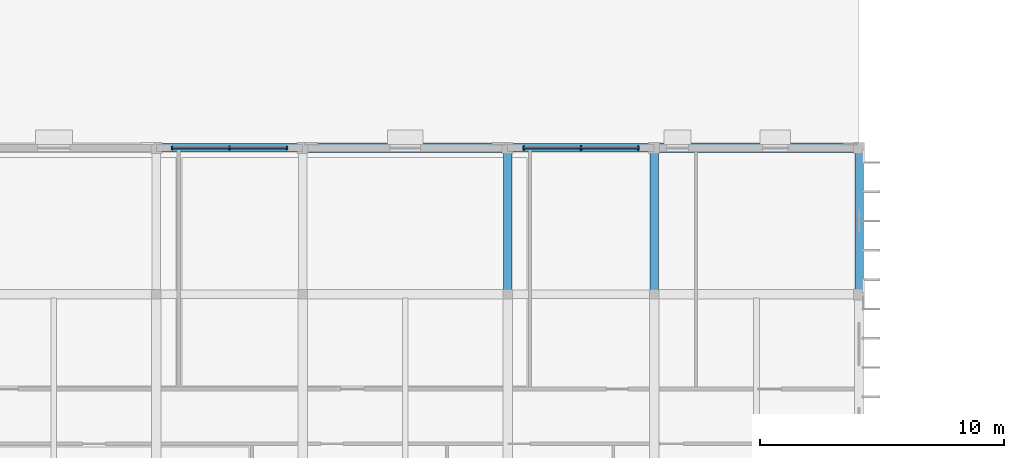
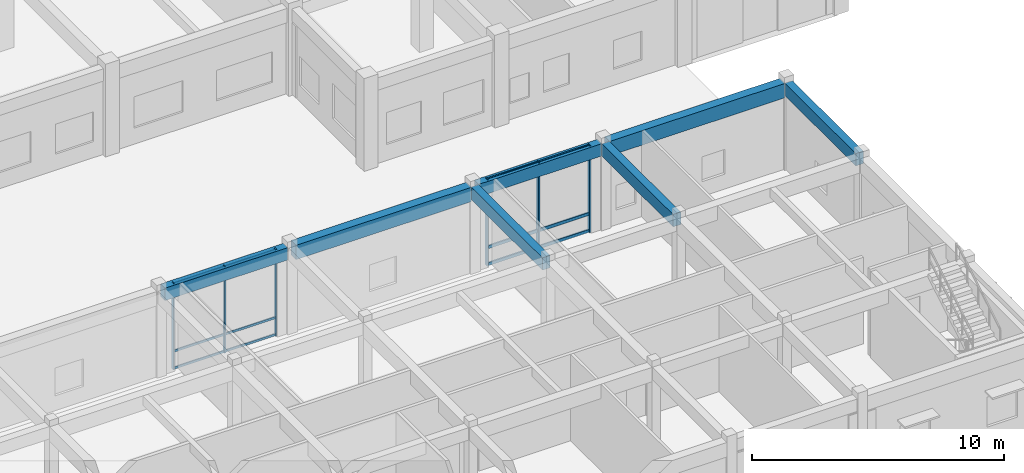
# One storey, part 21 of 67: 12 members, 7 beams, 2 elements without a shape of their own.
"""IFC4 building model written with IfcOpenShell, lengths in metres."""

from ifc_helpers import new_model, si_unit, direction, frame, origin, origin_2d, place, context, subcontext, project, spatial, rectangle, extrude, material, material_profile, profile_set, type_object, element, aggregate, save


model = new_model("IFC4")

# Units and contexts
model_context = context("Model", 3, precision=1e-05, world=origin(), true_north=direction((0.0, 1.0)))
body_context = subcontext(model_context, "Body", "Model", "MODEL_VIEW")
ifc_project = project(units=[si_unit("LENGTHUNIT", "METRE"), si_unit("AREAUNIT", "SQUARE_METRE"), si_unit("VOLUMEUNIT", "CUBIC_METRE"), si_unit("PLANEANGLEUNIT", "RADIAN"), si_unit("MASSUNIT", "GRAM", prefix="KILO"), si_unit("THERMODYNAMICTEMPERATUREUNIT", "KELVIN")], contexts=[model_context])

# Site, building, storey
site_placement = place(None, origin())
site = spatial("IfcSite", under=ifc_project, at=site_placement, CompositionType="ELEMENT")
building_placement = place(site_placement, origin())
building = spatial("IfcBuilding", under=site, at=building_placement, Name="Thalorik Housing Commons", CompositionType="ELEMENT")
storey_placement = place(building_placement, origin())
storey = spatial("IfcBuildingStorey", under=building, at=storey_placement, Name="L00", CompositionType="ELEMENT", Elevation=0.0)

# Curtain wall, members
ifc_material_1 = material(Name="Anodised aluminium and solar-control low-E glass", Category="aluminium")
curtain_wall_type = type_object("IfcCurtainWallType", Name="ARC-CW-CIVIC", PredefinedType="USERDEFINED", material=ifc_material_1)
curtain_wall_1_placement = place(storey_placement, origin())
curtain_wall_1 = element("IfcCurtainWall", 1, at=curtain_wall_1_placement, inside=storey, type_object=curtain_wall_type, Name="L00 Curtain Wall CW-NURS-L00-228", ObjectType="CURTAIN WALL", PredefinedType="USERDEFINED")
ifc_material_2 = material(Name="Anodised aluminium 6063-T6", Category="aluminium")
ifc_material_profile_1 = material_profile(ifc_material_2, rectangle(XDim=0.054931640625, YDim=0.139892578125, at=origin_2d()), Name="ALU MUL 55x140", Category="aluminium")
ifc_profile_set_1 = profile_set([ifc_material_profile_1], Name="Anodised aluminium 6063-T6")
member_type_1 = type_object("IfcMemberType", Name="ARC-CW-MUL-55x140", PredefinedType="MULLION", material=ifc_profile_set_1)
member_1_placement = place(storey_placement, frame((143.35009765625, 28.800048828125, 0.0), z_axis=(0.0, 0.0, 1.0), x_axis=(-1.0, 0.0, 0.0)))
member_1 = element("IfcMember", 2, at=member_1_placement, type_object=member_type_1, Name="CW-NURS-L00-228 Mullion 1", PredefinedType="MULLION", context=body_context, shape_type="SweptSolid", body=[
    extrude(rectangle(XDim=0.054931640625, YDim=0.139892578125, at=origin_2d()), origin(), (0.0, 0.0, 1.0), 4.199951171875),
])
member_2_placement = place(storey_placement, frame((141.0, 28.800048828125, 0.0), z_axis=(0.0, 0.0, 1.0), x_axis=(-1.0, 0.0, 0.0)))
member_2 = element("IfcMember", 3, at=member_2_placement, type_object=member_type_1, Name="CW-NURS-L00-228 Mullion 2", PredefinedType="MULLION", context=body_context, shape_type="SweptSolid", body=[
    extrude(rectangle(XDim=0.054931640625, YDim=0.139892578125, at=origin_2d()), origin(), (0.0, 0.0, 1.0), 4.199951171875),
])
member_3_placement = place(storey_placement, frame((138.64990234375, 28.800048828125, 0.0), z_axis=(0.0, 0.0, 1.0), x_axis=(-1.0, 0.0, 0.0)))
member_3 = element("IfcMember", 4, at=member_3_placement, type_object=member_type_1, Name="CW-NURS-L00-228 Mullion 3", PredefinedType="MULLION", context=body_context, shape_type="SweptSolid", body=[
    extrude(rectangle(XDim=0.054931640625, YDim=0.139892578125, at=origin_2d()), origin(), (0.0, 0.0, 1.0), 4.199951171875),
])

curtain_wall_2_placement = place(storey_placement, origin())
curtain_wall_2 = element("IfcCurtainWall", 5, at=curtain_wall_2_placement, inside=storey, type_object=curtain_wall_type, Name="L00 Curtain Wall CW-NURS-L00-227", ObjectType="CURTAIN WALL", PredefinedType="USERDEFINED")
ifc_material_profile_2 = material_profile(ifc_material_2, rectangle(XDim=0.06494140625, YDim=0.179931640625, at=origin_2d()), Name="ALU MUL 65x180", Category="aluminium")
ifc_profile_set_2 = profile_set([ifc_material_profile_2], Name="Anodised aluminium 6063-T6")
member_type_2 = type_object("IfcMemberType", Name="ARC-CW-MUL-65x180", PredefinedType="MULLION", material=ifc_profile_set_2)
member_4_placement = place(storey_placement, frame((157.75, 28.800048828125, 0.0), z_axis=(0.0, 0.0, 1.0), x_axis=(-1.0, 0.0, 0.0)))
member_4 = element("IfcMember", 6, at=member_4_placement, type_object=member_type_2, Name="CW-NURS-L00-227 Mullion 1", PredefinedType="MULLION", context=body_context, shape_type="SweptSolid", body=[
    extrude(rectangle(XDim=0.06494140625, YDim=0.179931640625, at=origin_2d()), origin(), (0.0, 0.0, 1.0), 4.199951171875),
])
member_5_placement = place(storey_placement, frame((155.39990234375, 28.800048828125, 0.0), z_axis=(0.0, 0.0, 1.0), x_axis=(-1.0, 0.0, 0.0)))
member_5 = element("IfcMember", 7, at=member_5_placement, type_object=member_type_2, Name="CW-NURS-L00-227 Mullion 2", PredefinedType="MULLION", context=body_context, shape_type="SweptSolid", body=[
    extrude(rectangle(XDim=0.06494140625, YDim=0.179931640625, at=origin_2d()), origin(), (0.0, 0.0, 1.0), 4.199951171875),
])
member_6_placement = place(storey_placement, frame((153.050048828125, 28.800048828125, 0.0), z_axis=(0.0, 0.0, 1.0), x_axis=(-1.0, 0.0, 0.0)))
member_6 = element("IfcMember", 8, at=member_6_placement, type_object=member_type_2, Name="CW-NURS-L00-227 Mullion 3", PredefinedType="MULLION", context=body_context, shape_type="SweptSolid", body=[
    extrude(rectangle(XDim=0.06494140625, YDim=0.179931640625, at=origin_2d()), origin(), (0.0, 0.0, 1.0), 4.199951171875),
])

# Member
ifc_material_profile_3 = material_profile(ifc_material_2, rectangle(XDim=0.054931640625, YDim=0.10498046875, at=origin_2d()), Name="ALU TRN 55x105", Category="aluminium")
ifc_profile_set_3 = profile_set([ifc_material_profile_3], Name="Anodised aluminium 6063-T6")
member_type_3 = type_object("IfcMemberType", Name="ARC-CW-TRN-55x105", PredefinedType="USERDEFINED", material=ifc_profile_set_3)
member_7_placement = place(storey_placement, frame((143.35009765625, 28.800048828125, 0.054931640625), z_axis=(-1.0, 0.0, 0.0), x_axis=(0.0, -1.0, 0.0)))
member_7 = element("IfcMember", 9, at=member_7_placement, type_object=member_type_3, Name="CW-NURS-L00-228 Transom 1", ObjectType="TRANSOM", PredefinedType="USERDEFINED", context=body_context, shape_type="SweptSolid", body=[
    extrude(rectangle(XDim=0.054931640625, YDim=0.10498046875, at=origin_2d()), origin(), (0.0, 0.0, 1.0), 4.7001953125),
])

member_8_placement = place(storey_placement, frame((143.35009765625, 28.800048828125, 0.8798828125), z_axis=(-1.0, 0.0, 0.0), x_axis=(0.0, -1.0, 0.0)))
member_8 = element("IfcMember", 10, at=member_8_placement, type_object=member_type_3, Name="CW-NURS-L00-228 Transom 2", ObjectType="TRANSOM", PredefinedType="USERDEFINED", context=body_context, shape_type="SweptSolid", body=[
    extrude(rectangle(XDim=0.054931640625, YDim=0.10498046875, at=origin_2d()), origin(), (0.0, 0.0, 1.0), 4.7001953125),
])

member_9_placement = place(storey_placement, frame((143.35009765625, 28.800048828125, 4.14501953125), z_axis=(-1.0, 0.0, 0.0), x_axis=(0.0, -1.0, 0.0)))
member_9 = element("IfcMember", 11, at=member_9_placement, type_object=member_type_3, Name="CW-NURS-L00-228 Transom 3", ObjectType="TRANSOM", PredefinedType="USERDEFINED", context=body_context, shape_type="SweptSolid", body=[
    extrude(rectangle(XDim=0.054931640625, YDim=0.10498046875, at=origin_2d()), origin(), (0.0, 0.0, 1.0), 4.7001953125),
])

aggregate(curtain_wall_1, [member_1, member_2, member_3, member_7, member_8, member_9])

ifc_material_profile_4 = material_profile(ifc_material_2, rectangle(XDim=0.06494140625, YDim=0.14990234375, at=origin_2d()), Name="ALU TRN 65x150", Category="aluminium")
ifc_profile_set_4 = profile_set([ifc_material_profile_4], Name="Anodised aluminium 6063-T6")
member_type_4 = type_object("IfcMemberType", Name="ARC-CW-TRN-65x150", PredefinedType="USERDEFINED", material=ifc_profile_set_4)
member_10_placement = place(storey_placement, frame((157.75, 28.800048828125, 0.054931640625), z_axis=(-1.0, 0.0, 0.0), x_axis=(0.0, -1.0, 0.0)))
member_10 = element("IfcMember", 12, at=member_10_placement, type_object=member_type_4, Name="CW-NURS-L00-227 Transom 1", ObjectType="TRANSOM", PredefinedType="USERDEFINED", context=body_context, shape_type="SweptSolid", body=[
    extrude(rectangle(XDim=0.06494140625, YDim=0.14990234375, at=origin_2d()), origin(), (0.0, 0.0, 1.0), 4.699951171875),
])

member_11_placement = place(storey_placement, frame((157.75, 28.800048828125, 0.8798828125), z_axis=(-1.0, 0.0, 0.0), x_axis=(0.0, -1.0, 0.0)))
member_11 = element("IfcMember", 13, at=member_11_placement, type_object=member_type_4, Name="CW-NURS-L00-227 Transom 2", ObjectType="TRANSOM", PredefinedType="USERDEFINED", context=body_context, shape_type="SweptSolid", body=[
    extrude(rectangle(XDim=0.06494140625, YDim=0.14990234375, at=origin_2d()), origin(), (0.0, 0.0, 1.0), 4.699951171875),
])

member_12_placement = place(storey_placement, frame((157.75, 28.800048828125, 4.14501953125), z_axis=(-1.0, 0.0, 0.0), x_axis=(0.0, -1.0, 0.0)))
member_12 = element("IfcMember", 14, at=member_12_placement, type_object=member_type_4, Name="CW-NURS-L00-227 Transom 3", ObjectType="TRANSOM", PredefinedType="USERDEFINED", context=body_context, shape_type="SweptSolid", body=[
    extrude(rectangle(XDim=0.06494140625, YDim=0.14990234375, at=origin_2d()), origin(), (0.0, 0.0, 1.0), 4.699951171875),
])

aggregate(curtain_wall_2, [member_4, member_5, member_6, member_10, member_11, member_12])

# Beams
ifc_material_3 = material(Name="Precast concrete C40/50", Category="concrete")
ifc_material_profile_5 = material_profile(ifc_material_3, rectangle(XDim=0.35009765625, YDim=0.60009765625, at=origin_2d()), Name="PC 350x600", Category="concrete")
ifc_profile_set_5 = profile_set([ifc_material_profile_5], Name="Precast concrete C40/50")
beam_type_1 = type_object("IfcBeamType", Name="STR-BM-PC350x600", PredefinedType="BEAM", material=ifc_profile_set_5)
beam_1_placement = place(storey_placement, frame((138.175048828125, 28.800048828125, 3.89990234375), z_axis=(1.0, 0.0, 0.0), x_axis=(0.0, 1.0, 0.0)))
element("IfcBeam", 15, at=beam_1_placement, inside=storey, type_object=beam_type_1, Name="L00 Beam B-600", PredefinedType="BEAM", context=body_context, shape_type="SweptSolid", body=[
    extrude(rectangle(XDim=0.35009765625, YDim=0.60009765625, at=origin_2d()), origin(), (0.0, 0.0, 1.0), 5.64990234375),
])
beam_2_placement = place(storey_placement, frame((152.574951171875, 28.800048828125, 3.89990234375), z_axis=(1.0, 0.0, 0.0), x_axis=(0.0, 1.0, 0.0)))
element("IfcBeam", 16, at=beam_2_placement, inside=storey, type_object=beam_type_1, Name="L00 Beam B-600", PredefinedType="BEAM", context=body_context, shape_type="SweptSolid", body=[
    extrude(rectangle(XDim=0.35009765625, YDim=0.60009765625, at=origin_2d()), origin(), (0.0, 0.0, 1.0), 5.650146484375),
])
for number, where, z_axis, x_axis, name in (
    (17, (152.39990234375, 22.949951171875, 3.89990234375), (0.0, 1.0, 0.0), (-1.0, 0.0, 0.0), "L00 Beam B-600"),
    (18, (158.39990234375, 22.949951171875, 3.89990234375), (0.0, 1.0, 0.0), (-1.0, 0.0, 0.0), "L00 Beam B-600"),
):
    element("IfcBeam", number, at=place(storey_placement, frame(where, z_axis=z_axis, x_axis=x_axis)), inside=storey, type_object=beam_type_1, Name=name, PredefinedType="BEAM", context=body_context, shape_type="SweptSolid", body=[
        extrude(rectangle(XDim=0.35009765625, YDim=0.60009765625, at=origin_2d()), origin(), (0.0, 0.0, 1.0), 5.675048828125),
    ])
beam_3_placement = place(storey_placement, frame((166.800048828125, 22.97509765625, 3.89990234375), z_axis=(0.0, 1.0, 0.0), x_axis=(-1.0, 0.0, 0.0)))
element("IfcBeam", 19, at=beam_3_placement, inside=storey, type_object=beam_type_1, Name="L00 Beam B-600", PredefinedType="BEAM", context=body_context, shape_type="SweptSolid", body=[
    extrude(rectangle(XDim=0.35009765625, YDim=0.60009765625, at=origin_2d()), origin(), (0.0, 0.0, 1.0), 5.64990234375),
])
ifc_material_profile_6 = material_profile(ifc_material_3, rectangle(XDim=0.39990234375, YDim=0.699951171875, at=origin_2d()), Name="PC 400x700", Category="concrete")
ifc_profile_set_6 = profile_set([ifc_material_profile_6], Name="Precast concrete C40/50")
beam_type_2 = type_object("IfcBeamType", Name="STR-BM-PC400x700", PredefinedType="BEAM", material=ifc_profile_set_6)
for number, where, z_axis, x_axis, name in (
    (20, (144.175048828125, 28.800048828125, 3.85009765625), (1.0, 0.0, 0.0), (0.0, 1.0, 0.0), "L00 Beam B-700"),
    (21, (158.574951171875, 28.800048828125, 3.85009765625), (1.0, 0.0, 0.0), (0.0, 1.0, 0.0), "L00 Beam B-700"),
):
    element("IfcBeam", number, at=place(storey_placement, frame(where, z_axis=z_axis, x_axis=x_axis)), inside=storey, type_object=beam_type_2, Name=name, PredefinedType="BEAM", context=body_context, shape_type="SweptSolid", body=[
        extrude(rectangle(XDim=0.39990234375, YDim=0.699951171875, at=origin_2d()), origin(), (0.0, 0.0, 1.0), 8.050048828125),
    ])

save(model, "model.ifc")
